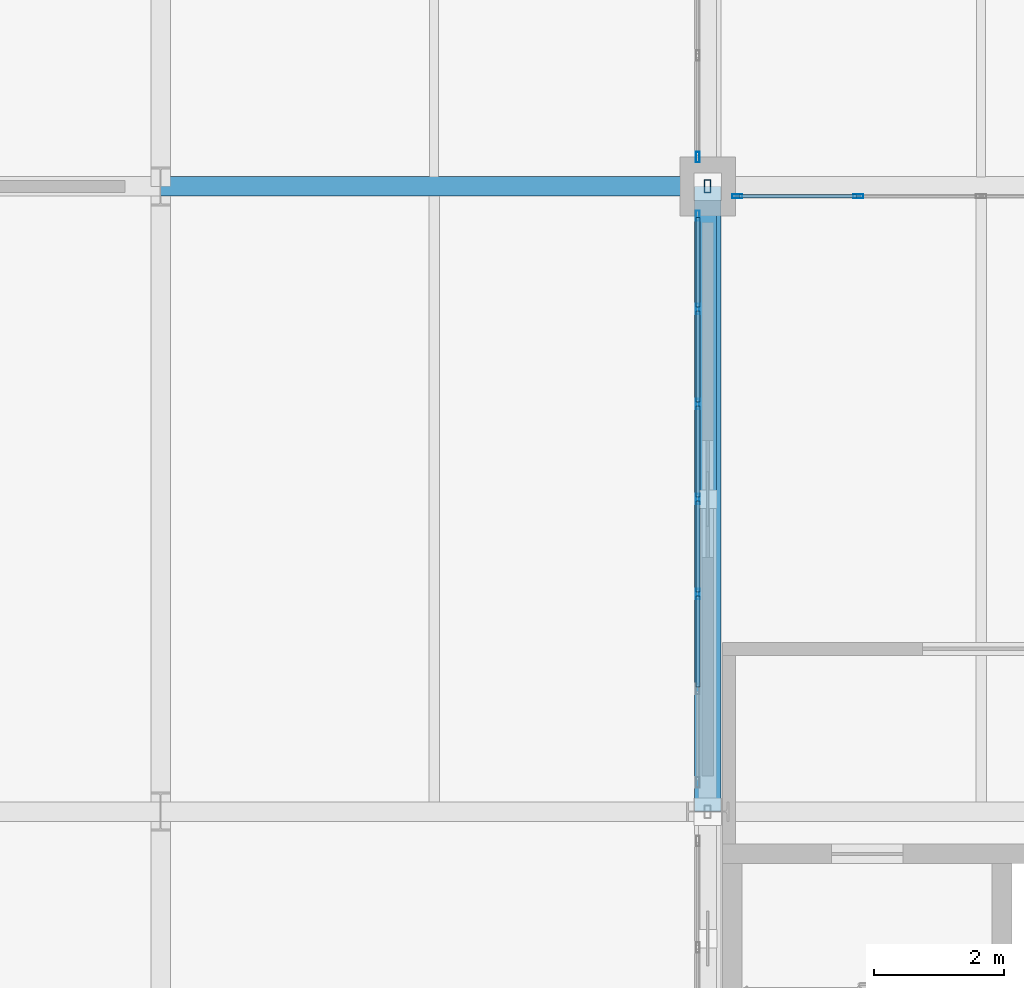
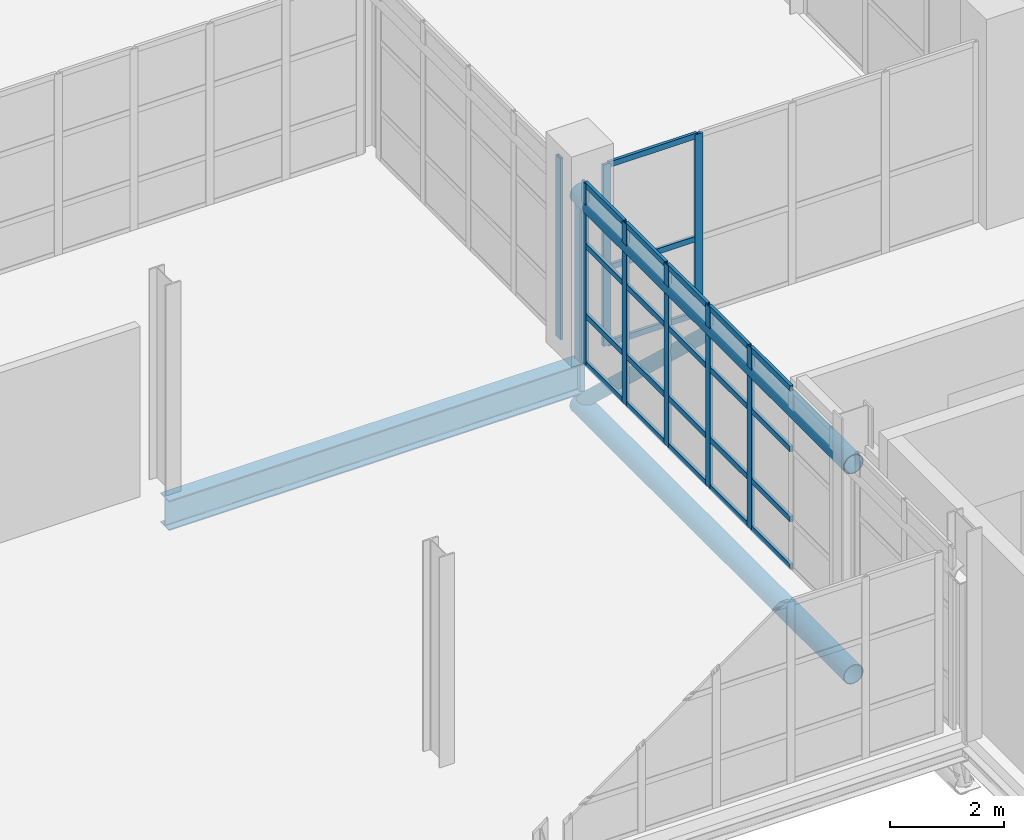
# One storey, part 21 of 130: 35 members, 1 beam, 3 elements without a shape of their own.
"""IFC4 building model written with IfcOpenShell, lengths in metres."""

from ifc_helpers import new_model, si_unit, direction, frame, origin, origin_2d, place, context, subcontext, project, spatial, hollow_rectangle, hollow_circle, i_section, extrude, material, material_profile, profile_set, type_object, element, aggregate, save


model = new_model("IFC4")

# Units and contexts
model_context = context("Model", 3, precision=1e-05, world=origin(), true_north=direction((0.0, 1.0)))
body_context = subcontext(model_context, "Body", "Model", "MODEL_VIEW")
ifc_project = project(units=[si_unit("LENGTHUNIT", "METRE"), si_unit("AREAUNIT", "SQUARE_METRE"), si_unit("VOLUMEUNIT", "CUBIC_METRE"), si_unit("PLANEANGLEUNIT", "RADIAN"), si_unit("MASSUNIT", "GRAM", prefix="KILO")], contexts=[model_context])

# Site, building, storey
site_placement = place(None, origin())
site = spatial("IfcSite", under=ifc_project, at=site_placement, CompositionType="ELEMENT")
building_placement = place(site_placement, origin())
building = spatial("IfcBuilding", under=site, at=building_placement, Name="Veltarok Museum of Natural Sciences", CompositionType="ELEMENT")
storey_placement = place(building_placement, frame((0.0, 0.0, 12.89990234375)))
storey = spatial("IfcBuildingStorey", under=building, at=storey_placement, Name="L02", CompositionType="ELEMENT", Elevation=12.89990234375)

# Curtain wall, members
ifc_material_1 = material(Name="Low-iron triple insulated glass", Category="glass")
curtain_wall_type_1 = type_object("IfcCurtainWallType", Name="Curtain Wall System CW-BRG-E-L02-BC-876x388 (Bridge East Court L02 BC 876x388cm)", PredefinedType="NOTDEFINED", material=ifc_material_1)
curtain_wall_1_placement = place(storey_placement, origin())
curtain_wall_1 = element("IfcCurtainWall", 1, at=curtain_wall_1_placement, inside=storey, type_object=curtain_wall_type_1, Name="Curtain Wall CW-BRG-E-L02-BC-876x388 CW-0031", PredefinedType="NOTDEFINED")
ifc_material_2 = material(Name="Thermally broken anodised aluminium", Category="aluminium")
ifc_material_profile_1 = material_profile(ifc_material_2, hollow_rectangle(XDim=0.06005859375, YDim=0.1201171875, WallThickness=0.0048828125, at=origin_2d()), Name="CW TRANSOM 60x120x5")
ifc_profile_set_1 = profile_set([ifc_material_profile_1], Name="Thermally broken anodised aluminium")
member_type_1 = type_object("IfcMemberType", Name="Curtain Wall Horizontal Transom 60x120x5", PredefinedType="USERDEFINED", material=ifc_profile_set_1)
member_1_placement = place(storey_placement, frame((31.449951171875, 11.510009765625, 0.030029296875), z_axis=(0.0, 1.0, 0.0), x_axis=(-1.0, 0.0, 0.0)))
member_1 = element("IfcMember", 2, at=member_1_placement, type_object=member_type_1, Name="CW-BRG-E-L02-BC-876x388 transom 2.1", ObjectType="TRANSOM", PredefinedType="USERDEFINED", context=body_context, shape_type="SweptSolid", body=[
    extrude(hollow_rectangle(XDim=0.06005859375, YDim=0.1201171875, WallThickness=0.0048828125, at=origin_2d()), origin(), (0.0, 0.0, 1.0), 1.39990234375),
])
member_2_placement = place(storey_placement, frame((31.449951171875, 11.510009765625, 1.050048828125), z_axis=(0.0, 1.0, 0.0), x_axis=(-1.0, 0.0, 0.0)))
member_2 = element("IfcMember", 3, at=member_2_placement, type_object=member_type_1, Name="CW-BRG-E-L02-BC-876x388 transom 2.2", ObjectType="TRANSOM", PredefinedType="USERDEFINED", context=body_context, shape_type="SweptSolid", body=[
    extrude(hollow_rectangle(XDim=0.06005859375, YDim=0.1201171875, WallThickness=0.0048828125, at=origin_2d()), origin(), (0.0, 0.0, 1.0), 1.39990234375),
])
member_3_placement = place(storey_placement, frame((31.449951171875, 11.510009765625, 2.550048828125), z_axis=(0.0, 1.0, 0.0), x_axis=(-1.0, 0.0, 0.0)))
member_3 = element("IfcMember", 4, at=member_3_placement, type_object=member_type_1, Name="CW-BRG-E-L02-BC-876x388 transom 2.3", ObjectType="TRANSOM", PredefinedType="USERDEFINED", context=body_context, shape_type="SweptSolid", body=[
    extrude(hollow_rectangle(XDim=0.06005859375, YDim=0.1201171875, WallThickness=0.0048828125, at=origin_2d()), origin(), (0.0, 0.0, 1.0), 1.39990234375),
])
member_4_placement = place(storey_placement, frame((31.449951171875, 11.510009765625, 3.85009765625), z_axis=(0.0, 1.0, 0.0), x_axis=(-1.0, 0.0, 0.0)))
member_4 = element("IfcMember", 5, at=member_4_placement, type_object=member_type_1, Name="CW-BRG-E-L02-BC-876x388 transom 2.4", ObjectType="TRANSOM", PredefinedType="USERDEFINED", context=body_context, shape_type="SweptSolid", body=[
    extrude(hollow_rectangle(XDim=0.06005859375, YDim=0.1201171875, WallThickness=0.0048828125, at=origin_2d()), origin(), (0.0, 0.0, 1.0), 1.39990234375),
])
member_5_placement = place(storey_placement, frame((31.449951171875, 12.969970703125, 0.030029296875), z_axis=(0.0, 1.0, 0.0), x_axis=(-1.0, 0.0, 0.0)))
member_5 = element("IfcMember", 6, at=member_5_placement, type_object=member_type_1, Name="CW-BRG-E-L02-BC-876x388 transom 3.1", ObjectType="TRANSOM", PredefinedType="USERDEFINED", context=body_context, shape_type="SweptSolid", body=[
    extrude(hollow_rectangle(XDim=0.06005859375, YDim=0.1201171875, WallThickness=0.0048828125, at=origin_2d()), origin(), (0.0, 0.0, 1.0), 1.400146484375),
])
member_6_placement = place(storey_placement, frame((31.449951171875, 12.969970703125, 1.050048828125), z_axis=(0.0, 1.0, 0.0), x_axis=(-1.0, 0.0, 0.0)))
member_6 = element("IfcMember", 7, at=member_6_placement, type_object=member_type_1, Name="CW-BRG-E-L02-BC-876x388 transom 3.2", ObjectType="TRANSOM", PredefinedType="USERDEFINED", context=body_context, shape_type="SweptSolid", body=[
    extrude(hollow_rectangle(XDim=0.06005859375, YDim=0.1201171875, WallThickness=0.0048828125, at=origin_2d()), origin(), (0.0, 0.0, 1.0), 1.400146484375),
])
member_7_placement = place(storey_placement, frame((31.449951171875, 12.969970703125, 2.550048828125), z_axis=(0.0, 1.0, 0.0), x_axis=(-1.0, 0.0, 0.0)))
member_7 = element("IfcMember", 8, at=member_7_placement, type_object=member_type_1, Name="CW-BRG-E-L02-BC-876x388 transom 3.3", ObjectType="TRANSOM", PredefinedType="USERDEFINED", context=body_context, shape_type="SweptSolid", body=[
    extrude(hollow_rectangle(XDim=0.06005859375, YDim=0.1201171875, WallThickness=0.0048828125, at=origin_2d()), origin(), (0.0, 0.0, 1.0), 1.400146484375),
])
member_8_placement = place(storey_placement, frame((31.449951171875, 12.969970703125, 3.85009765625), z_axis=(0.0, 1.0, 0.0), x_axis=(-1.0, 0.0, 0.0)))
member_8 = element("IfcMember", 9, at=member_8_placement, type_object=member_type_1, Name="CW-BRG-E-L02-BC-876x388 transom 3.4", ObjectType="TRANSOM", PredefinedType="USERDEFINED", context=body_context, shape_type="SweptSolid", body=[
    extrude(hollow_rectangle(XDim=0.06005859375, YDim=0.1201171875, WallThickness=0.0048828125, at=origin_2d()), origin(), (0.0, 0.0, 1.0), 1.400146484375),
])
member_9_placement = place(storey_placement, frame((31.449951171875, 14.429931640625, 0.030029296875), z_axis=(0.0, 1.0, 0.0), x_axis=(-1.0, 0.0, 0.0)))
member_9 = element("IfcMember", 10, at=member_9_placement, type_object=member_type_1, Name="CW-BRG-E-L02-BC-876x388 transom 4.1", ObjectType="TRANSOM", PredefinedType="USERDEFINED", context=body_context, shape_type="SweptSolid", body=[
    extrude(hollow_rectangle(XDim=0.06005859375, YDim=0.1201171875, WallThickness=0.0048828125, at=origin_2d()), origin(), (0.0, 0.0, 1.0), 1.400146484375),
])
member_10_placement = place(storey_placement, frame((31.449951171875, 14.429931640625, 1.050048828125), z_axis=(0.0, 1.0, 0.0), x_axis=(-1.0, 0.0, 0.0)))
member_10 = element("IfcMember", 11, at=member_10_placement, type_object=member_type_1, Name="CW-BRG-E-L02-BC-876x388 transom 4.2", ObjectType="TRANSOM", PredefinedType="USERDEFINED", context=body_context, shape_type="SweptSolid", body=[
    extrude(hollow_rectangle(XDim=0.06005859375, YDim=0.1201171875, WallThickness=0.0048828125, at=origin_2d()), origin(), (0.0, 0.0, 1.0), 1.400146484375),
])
member_11_placement = place(storey_placement, frame((31.449951171875, 14.429931640625, 2.550048828125), z_axis=(0.0, 1.0, 0.0), x_axis=(-1.0, 0.0, 0.0)))
member_11 = element("IfcMember", 12, at=member_11_placement, type_object=member_type_1, Name="CW-BRG-E-L02-BC-876x388 transom 4.3", ObjectType="TRANSOM", PredefinedType="USERDEFINED", context=body_context, shape_type="SweptSolid", body=[
    extrude(hollow_rectangle(XDim=0.06005859375, YDim=0.1201171875, WallThickness=0.0048828125, at=origin_2d()), origin(), (0.0, 0.0, 1.0), 1.400146484375),
])
member_12_placement = place(storey_placement, frame((31.449951171875, 14.429931640625, 3.85009765625), z_axis=(0.0, 1.0, 0.0), x_axis=(-1.0, 0.0, 0.0)))
member_12 = element("IfcMember", 13, at=member_12_placement, type_object=member_type_1, Name="CW-BRG-E-L02-BC-876x388 transom 4.4", ObjectType="TRANSOM", PredefinedType="USERDEFINED", context=body_context, shape_type="SweptSolid", body=[
    extrude(hollow_rectangle(XDim=0.06005859375, YDim=0.1201171875, WallThickness=0.0048828125, at=origin_2d()), origin(), (0.0, 0.0, 1.0), 1.400146484375),
])
member_13_placement = place(storey_placement, frame((31.449951171875, 15.889892578125, 0.030029296875), z_axis=(0.0, 1.0, 0.0), x_axis=(-1.0, 0.0, 0.0)))
member_13 = element("IfcMember", 14, at=member_13_placement, type_object=member_type_1, Name="CW-BRG-E-L02-BC-876x388 transom 5.1", ObjectType="TRANSOM", PredefinedType="USERDEFINED", context=body_context, shape_type="SweptSolid", body=[
    extrude(hollow_rectangle(XDim=0.06005859375, YDim=0.1201171875, WallThickness=0.0048828125, at=origin_2d()), origin(), (0.0, 0.0, 1.0), 1.400146484375),
])
member_14_placement = place(storey_placement, frame((31.449951171875, 15.889892578125, 1.050048828125), z_axis=(0.0, 1.0, 0.0), x_axis=(-1.0, 0.0, 0.0)))
member_14 = element("IfcMember", 15, at=member_14_placement, type_object=member_type_1, Name="CW-BRG-E-L02-BC-876x388 transom 5.2", ObjectType="TRANSOM", PredefinedType="USERDEFINED", context=body_context, shape_type="SweptSolid", body=[
    extrude(hollow_rectangle(XDim=0.06005859375, YDim=0.1201171875, WallThickness=0.0048828125, at=origin_2d()), origin(), (0.0, 0.0, 1.0), 1.400146484375),
])
member_15_placement = place(storey_placement, frame((31.449951171875, 15.889892578125, 2.550048828125), z_axis=(0.0, 1.0, 0.0), x_axis=(-1.0, 0.0, 0.0)))
member_15 = element("IfcMember", 16, at=member_15_placement, type_object=member_type_1, Name="CW-BRG-E-L02-BC-876x388 transom 5.3", ObjectType="TRANSOM", PredefinedType="USERDEFINED", context=body_context, shape_type="SweptSolid", body=[
    extrude(hollow_rectangle(XDim=0.06005859375, YDim=0.1201171875, WallThickness=0.0048828125, at=origin_2d()), origin(), (0.0, 0.0, 1.0), 1.400146484375),
])
member_16_placement = place(storey_placement, frame((31.449951171875, 15.889892578125, 3.85009765625), z_axis=(0.0, 1.0, 0.0), x_axis=(-1.0, 0.0, 0.0)))
member_16 = element("IfcMember", 17, at=member_16_placement, type_object=member_type_1, Name="CW-BRG-E-L02-BC-876x388 transom 5.4", ObjectType="TRANSOM", PredefinedType="USERDEFINED", context=body_context, shape_type="SweptSolid", body=[
    extrude(hollow_rectangle(XDim=0.06005859375, YDim=0.1201171875, WallThickness=0.0048828125, at=origin_2d()), origin(), (0.0, 0.0, 1.0), 1.400146484375),
])
member_17_placement = place(storey_placement, frame((31.449951171875, 17.35009765625, 0.030029296875), z_axis=(0.0, 1.0, 0.0), x_axis=(-1.0, 0.0, 0.0)))
member_17 = element("IfcMember", 18, at=member_17_placement, type_object=member_type_1, Name="CW-BRG-E-L02-BC-876x388 transom 6.1", ObjectType="TRANSOM", PredefinedType="USERDEFINED", context=body_context, shape_type="SweptSolid", body=[
    extrude(hollow_rectangle(XDim=0.06005859375, YDim=0.1201171875, WallThickness=0.0048828125, at=origin_2d()), origin(), (0.0, 0.0, 1.0), 1.369873046875),
])
member_18_placement = place(storey_placement, frame((31.449951171875, 17.35009765625, 1.050048828125), z_axis=(0.0, 1.0, 0.0), x_axis=(-1.0, 0.0, 0.0)))
member_18 = element("IfcMember", 19, at=member_18_placement, type_object=member_type_1, Name="CW-BRG-E-L02-BC-876x388 transom 6.2", ObjectType="TRANSOM", PredefinedType="USERDEFINED", context=body_context, shape_type="SweptSolid", body=[
    extrude(hollow_rectangle(XDim=0.06005859375, YDim=0.1201171875, WallThickness=0.0048828125, at=origin_2d()), origin(), (0.0, 0.0, 1.0), 1.369873046875),
])
member_19_placement = place(storey_placement, frame((31.449951171875, 17.35009765625, 2.550048828125), z_axis=(0.0, 1.0, 0.0), x_axis=(-1.0, 0.0, 0.0)))
member_19 = element("IfcMember", 20, at=member_19_placement, type_object=member_type_1, Name="CW-BRG-E-L02-BC-876x388 transom 6.3", ObjectType="TRANSOM", PredefinedType="USERDEFINED", context=body_context, shape_type="SweptSolid", body=[
    extrude(hollow_rectangle(XDim=0.06005859375, YDim=0.1201171875, WallThickness=0.0048828125, at=origin_2d()), origin(), (0.0, 0.0, 1.0), 1.369873046875),
])
member_20_placement = place(storey_placement, frame((31.449951171875, 17.35009765625, 3.85009765625), z_axis=(0.0, 1.0, 0.0), x_axis=(-1.0, 0.0, 0.0)))
member_20 = element("IfcMember", 21, at=member_20_placement, type_object=member_type_1, Name="CW-BRG-E-L02-BC-876x388 transom 6.4", ObjectType="TRANSOM", PredefinedType="USERDEFINED", context=body_context, shape_type="SweptSolid", body=[
    extrude(hollow_rectangle(XDim=0.06005859375, YDim=0.1201171875, WallThickness=0.0048828125, at=origin_2d()), origin(), (0.0, 0.0, 1.0), 1.369873046875),
])

curtain_wall_type_2 = type_object("IfcCurtainWallType", Name="Curtain Wall System CW-V1CNW-L02-0-755x388 (CW-V1CNW L02 755x388cm)", PredefinedType="NOTDEFINED", material=ifc_material_1)
curtain_wall_2_placement = place(storey_placement, origin())
curtain_wall_2 = element("IfcCurtainWall", 22, at=curtain_wall_2_placement, inside=storey, type_object=curtain_wall_type_2, Name="Curtain Wall CW-V1CNW-L02-0-755x388 CW-0160", PredefinedType="NOTDEFINED")
member_21_placement = place(storey_placement, frame((33.882568359375, 19.050048828125, 0.028076171875), z_axis=(-1.0, 0.0, 0.0), x_axis=(0.0, -1.0, 0.0)))
member_21 = element("IfcMember", 23, at=member_21_placement, type_object=member_type_1, Name="CW-V1CNW-L02-0-755x388 transom 4.1", ObjectType="TRANSOM", PredefinedType="USERDEFINED", context=body_context, shape_type="SweptSolid", body=[
    extrude(hollow_rectangle(XDim=0.06005859375, YDim=0.1201171875, WallThickness=0.0048828125, at=origin_2d()), origin(), (0.0, 0.0, 1.0), 1.797607421875),
])
member_22_placement = place(storey_placement, frame((33.882568359375, 19.050048828125, 1.648193359375), z_axis=(-1.0, 0.0, 0.0), x_axis=(0.0, -1.0, 0.0)))
member_22 = element("IfcMember", 24, at=member_22_placement, type_object=member_type_1, Name="CW-V1CNW-L02-0-755x388 transom 4.2", ObjectType="TRANSOM", PredefinedType="USERDEFINED", context=body_context, shape_type="SweptSolid", body=[
    extrude(hollow_rectangle(XDim=0.06005859375, YDim=0.1201171875, WallThickness=0.0048828125, at=origin_2d()), origin(), (0.0, 0.0, 1.0), 1.797607421875),
])
member_23_placement = place(storey_placement, frame((33.882568359375, 19.050048828125, 3.85009765625), z_axis=(-1.0, 0.0, 0.0), x_axis=(0.0, -1.0, 0.0)))
member_23 = element("IfcMember", 25, at=member_23_placement, type_object=member_type_1, Name="CW-V1CNW-L02-0-755x388 transom 4.3", ObjectType="TRANSOM", PredefinedType="USERDEFINED", context=body_context, shape_type="SweptSolid", body=[
    extrude(hollow_rectangle(XDim=0.06005859375, YDim=0.1201171875, WallThickness=0.0048828125, at=origin_2d()), origin(), (0.0, 0.0, 1.0), 1.797607421875),
])

# Member
ifc_material_profile_2 = material_profile(ifc_material_2, hollow_rectangle(XDim=0.06005859375, YDim=0.159912109375, WallThickness=0.0048828125, at=origin_2d()), Name="CW MULLION 60x160x5")
ifc_profile_set_2 = profile_set([ifc_material_profile_2], Name="Thermally broken anodised aluminium")
member_type_2 = type_object("IfcMemberType", Name="Curtain Wall Vertical Mullion 60x160x5", PredefinedType="MULLION", material=ifc_profile_set_2)
member_24_placement = place(storey_placement, frame((31.449951171875, 12.93994140625, 0.0), z_axis=(0.0, 0.0, 1.0), x_axis=(-1.0, 0.0, 0.0)))
member_24 = element("IfcMember", 26, at=member_24_placement, type_object=member_type_2, Name="CW-BRG-E-L02-BC-876x388 mullion 3", PredefinedType="MULLION", context=body_context, shape_type="SweptSolid", body=[
    extrude(hollow_rectangle(XDim=0.06005859375, YDim=0.159912109375, WallThickness=0.0048828125, at=origin_2d()), origin(), (0.0, 0.0, 1.0), 3.880126953125),
])

member_25_placement = place(storey_placement, frame((31.449951171875, 14.39990234375, 0.0), z_axis=(0.0, 0.0, 1.0), x_axis=(-1.0, 0.0, 0.0)))
member_25 = element("IfcMember", 27, at=member_25_placement, type_object=member_type_2, Name="CW-BRG-E-L02-BC-876x388 mullion 4", PredefinedType="MULLION", context=body_context, shape_type="SweptSolid", body=[
    extrude(hollow_rectangle(XDim=0.06005859375, YDim=0.159912109375, WallThickness=0.0048828125, at=origin_2d()), origin(), (0.0, 0.0, 1.0), 3.880126953125),
])

member_26_placement = place(storey_placement, frame((31.449951171875, 15.860107421875, 0.0), z_axis=(0.0, 0.0, 1.0), x_axis=(-1.0, 0.0, 0.0)))
member_26 = element("IfcMember", 28, at=member_26_placement, type_object=member_type_2, Name="CW-BRG-E-L02-BC-876x388 mullion 5", PredefinedType="MULLION", context=body_context, shape_type="SweptSolid", body=[
    extrude(hollow_rectangle(XDim=0.06005859375, YDim=0.159912109375, WallThickness=0.0048828125, at=origin_2d()), origin(), (0.0, 0.0, 1.0), 3.880126953125),
])

member_27_placement = place(storey_placement, frame((31.449951171875, 17.320068359375, 0.0), z_axis=(0.0, 0.0, 1.0), x_axis=(-1.0, 0.0, 0.0)))
member_27 = element("IfcMember", 29, at=member_27_placement, type_object=member_type_2, Name="CW-BRG-E-L02-BC-876x388 mullion 6", PredefinedType="MULLION", context=body_context, shape_type="SweptSolid", body=[
    extrude(hollow_rectangle(XDim=0.06005859375, YDim=0.159912109375, WallThickness=0.0048828125, at=origin_2d()), origin(), (0.0, 0.0, 1.0), 3.880126953125),
])

member_28_placement = place(storey_placement, frame((31.449951171875, 18.75, 0.0), z_axis=(0.0, 0.0, 1.0), x_axis=(-1.0, 0.0, 0.0)))
member_28 = element("IfcMember", 30, at=member_28_placement, type_object=member_type_2, Name="CW-BRG-E-L02-BC-876x388 mullion 7", PredefinedType="MULLION", context=body_context, shape_type="SweptSolid", body=[
    extrude(hollow_rectangle(XDim=0.06005859375, YDim=0.159912109375, WallThickness=0.0048828125, at=origin_2d()), origin(), (0.0, 0.0, 1.0), 3.880126953125),
])

aggregate(curtain_wall_1, [member_24, member_25, member_26, member_27, member_28, member_1, member_2, member_3, member_4, member_5, member_6, member_7, member_8, member_9, member_10, member_11, member_12, member_13, member_14, member_15, member_16, member_17, member_18, member_19, member_20])

# Curtain wall, member
curtain_wall_type_3 = type_object("IfcCurtainWallType", Name="Curtain Wall System CW-BRG-E-L02-CD-636x388 (Bridge East Court L02 CD 636x388cm)", PredefinedType="NOTDEFINED", material=ifc_material_1)
curtain_wall_3_placement = place(storey_placement, origin())
curtain_wall_3 = element("IfcCurtainWall", 31, at=curtain_wall_3_placement, inside=storey, type_object=curtain_wall_type_3, Name="Curtain Wall CW-BRG-E-L02-CD-636x388 CW-0032", PredefinedType="NOTDEFINED")
member_29_placement = place(storey_placement, frame((31.449951171875, 19.64990234375, 0.0), z_axis=(0.0, 0.0, 1.0), x_axis=(-1.0, 0.0, 0.0)))
member_29 = element("IfcMember", 32, at=member_29_placement, type_object=member_type_2, Name="CW-BRG-E-L02-CD-636x388 mullion 1", PredefinedType="MULLION", context=body_context, shape_type="SweptSolid", body=[
    extrude(hollow_rectangle(XDim=0.06005859375, YDim=0.159912109375, WallThickness=0.0048828125, at=origin_2d()), origin(), (0.0, 0.0, 1.0), 3.880126953125),
])
aggregate(curtain_wall_3, [member_29])

# Member
member_30_placement = place(storey_placement, frame((33.91259765625, 19.050048828125, -0.001953125), z_axis=(0.0, 0.0, 1.0), x_axis=(0.0, -1.0, 0.0)))
member_30 = element("IfcMember", 33, at=member_30_placement, type_object=member_type_2, Name="CW-V1CNW-L02-0-755x388 mullion 4", PredefinedType="MULLION", context=body_context, shape_type="SweptSolid", body=[
    extrude(hollow_rectangle(XDim=0.06005859375, YDim=0.159912109375, WallThickness=0.0048828125, at=origin_2d()), origin(), (0.0, 0.0, 1.0), 3.882080078125),
])

member_31_placement = place(storey_placement, frame((32.054931640625, 19.050048828125, -0.001953125), z_axis=(0.0, 0.0, 1.0), x_axis=(0.0, -1.0, 0.0)))
member_31 = element("IfcMember", 34, at=member_31_placement, type_object=member_type_2, Name="CW-V1CNW-L02-0-755x388 mullion 5", PredefinedType="MULLION", context=body_context, shape_type="SweptSolid", body=[
    extrude(hollow_rectangle(XDim=0.06005859375, YDim=0.159912109375, WallThickness=0.0048828125, at=origin_2d()), origin(), (0.0, 0.0, 1.0), 3.882080078125),
])

aggregate(curtain_wall_2, [member_30, member_31, member_21, member_22, member_23])

# Beam
ifc_material_3 = material(Name="Steel S355J2", Category="steel")
ifc_material_profile_3 = material_profile(ifc_material_3, i_section(OverallWidth=0.300048828125, OverallDepth=0.639892578125, WebThickness=0.013427734375, FlangeThickness=0.02587890625, FilletRadius=0.027099609375, at=origin_2d()), Name="HEA 650")
ifc_profile_set_3 = profile_set([ifc_material_profile_3], Name="Steel S355J2")
beam_type = type_object("IfcBeamType", Name="Heavy Exhibition Girder HEA 650", PredefinedType="BEAM", material=ifc_profile_set_3)
beam_placement = place(storey_placement, frame((23.199951171875, 19.199951171875, -0.56982421875), z_axis=(1.0, 0.0, 0.0), x_axis=(0.0, 1.0, 0.0)))
element("IfcBeam", 35, at=beam_placement, inside=storey, type_object=beam_type, Name="Beam BM-G08 L02 3-4/C", PredefinedType="BEAM", context=body_context, shape_type="SweptSolid", body=[
    extrude(i_section(OverallWidth=0.300048828125, OverallDepth=0.639892578125, WebThickness=0.013427734375, FlangeThickness=0.02587890625, FilletRadius=0.027099609375, at=origin_2d()), origin(), (0.0, 0.0, 1.0), 8.400146484375),
])

# Members
ifc_material_4 = material(Name="Oxide-red painted Steel S355J2", Category="steel")
ifc_material_profile_4 = material_profile(ifc_material_4, hollow_rectangle(XDim=0.10009765625, YDim=0.199951171875, WallThickness=0.008056640625, at=origin_2d()), Name="RHS 200x100x8")
ifc_profile_set_4 = profile_set([ifc_material_profile_4], Name="Oxide-red painted Steel S355J2")
member_type_3 = type_object("IfcMemberType", Name="Monitor and Transfer Vertical Post RHS 200x100x8", PredefinedType="STRUT", material=ifc_profile_set_4)
member_32_placement = place(storey_placement, frame((31.60009765625, 19.199951171875, -1.169921875), z_axis=(0.0, 0.0, 1.0), x_axis=(1.0, 0.0, 0.0)))
element("IfcMember", 36, at=member_32_placement, inside=storey, type_object=member_type_3, Name="Transfer Truss Post 4 Y=19.2", PredefinedType="STRUT", context=body_context, shape_type="SweptSolid", body=[
    extrude(hollow_rectangle(XDim=0.10009765625, YDim=0.199951171875, WallThickness=0.008056640625, at=origin_2d()), origin(), (0.0, 0.0, 1.0), 4.5),
])
ifc_material_profile_5 = material_profile(ifc_material_4, hollow_circle(Radius=0.203125, WallThickness=0.01611328125, at=origin_2d()), Name="CHS 406.4x16")
ifc_profile_set_5 = profile_set([ifc_material_profile_5], Name="Oxide-red painted Steel S355J2")
member_type_4 = type_object("IfcMemberType", Name="Transfer Truss Chord CHS 406.4x16", PredefinedType="CHORD", material=ifc_profile_set_5)
for number, where, z_axis, x_axis, name in (
    (37, (31.60009765625, 9.60009765625, -1.169921875), (0.0, 1.0, 0.0), (-1.0, 0.0, 0.0), "Transfer Truss BC 4 2"),
    (38, (31.60009765625, 9.60009765625, 3.330078125), (0.0, 1.0, 0.0), (-1.0, 0.0, 0.0), "Transfer Truss TC 4 2"),
):
    element("IfcMember", number, at=place(storey_placement, frame(where, z_axis=z_axis, x_axis=x_axis)), inside=storey, type_object=member_type_4, Name=name, PredefinedType="CHORD", context=body_context, shape_type="SweptSolid", body=[
        extrude(hollow_circle(Radius=0.203125, WallThickness=0.01611328125, at=origin_2d()), origin(), (0.0, 0.0, 1.0), 9.599853515625),
    ])
ifc_material_profile_6 = material_profile(ifc_material_4, hollow_circle(Radius=0.136474609375, WallThickness=0.012451171875, at=origin_2d()), Name="CHS 273x12.5")
ifc_profile_set_6 = profile_set([ifc_material_profile_6], Name="Oxide-red painted Steel S355J2")
member_type_5 = type_object("IfcMemberType", Name="Transfer Truss Web Diagonal CHS 273x12.5", PredefinedType="BRACE", material=ifc_profile_set_6)
member_33_placement = place(storey_placement, frame((31.60009765625, 14.39990234375, 3.330078125), z_axis=(0.0, 0.729540675584, -0.683937425989), x_axis=(-1.0, 0.0, 0.0)))
element("IfcMember", 39, at=member_33_placement, inside=storey, type_object=member_type_5, Name="Transfer Truss Diagonal 4 24", PredefinedType="BRACE", context=body_context, shape_type="SweptSolid", body=[
    extrude(hollow_circle(Radius=0.136474609375, WallThickness=0.012451171875, at=origin_2d()), origin(), (0.0, 0.0, 1.0), 6.57958984375),
])

save(model, "model.ifc")
